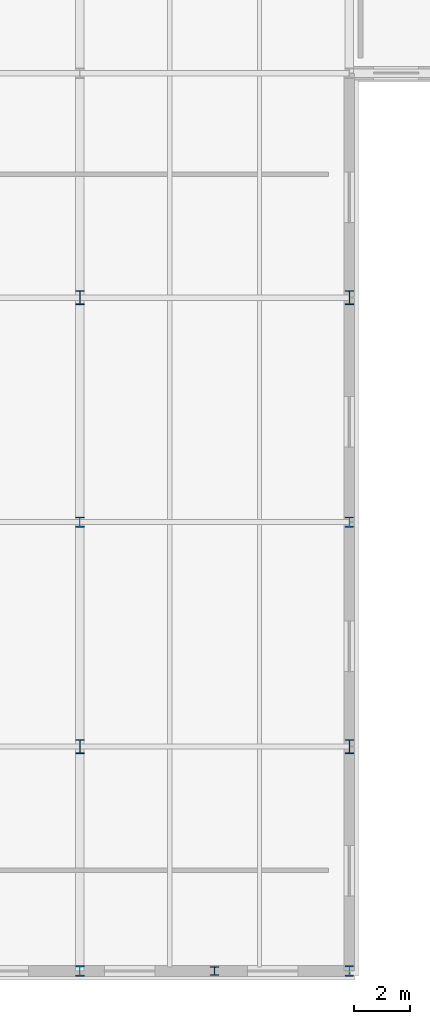
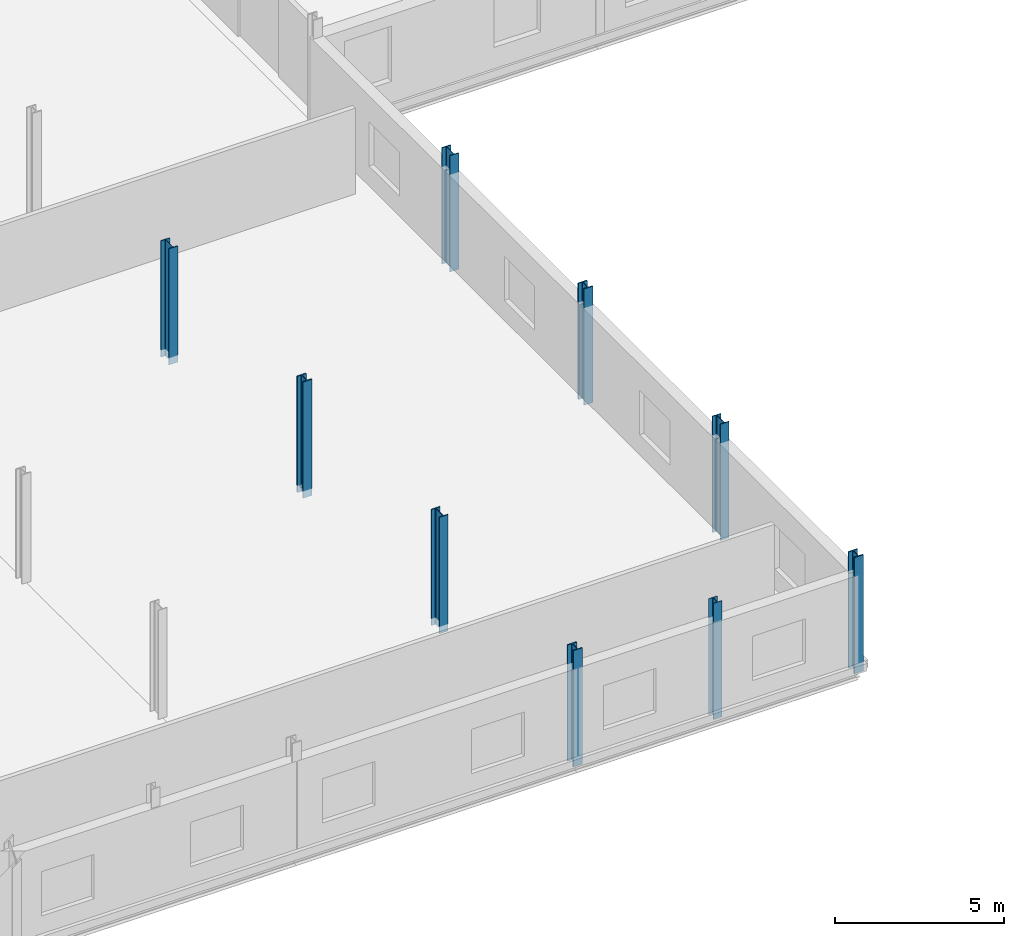
# One storey, part 6 of 78: 9 columns.
"""IFC4 building model written with IfcOpenShell, lengths in metres."""

from ifc_helpers import new_model, si_unit, direction, frame, origin, origin_2d, place, context, subcontext, project, spatial, i_section, extrude, material, material_profile, profile_set, type_object, element, save


model = new_model("IFC4")

# Units and contexts
model_context = context("Model", 3, precision=1e-05, world=origin(), true_north=direction((0.0, 1.0)))
body_context = subcontext(model_context, "Body", "Model", "MODEL_VIEW")
ifc_project = project(units=[si_unit("LENGTHUNIT", "METRE"), si_unit("AREAUNIT", "SQUARE_METRE"), si_unit("VOLUMEUNIT", "CUBIC_METRE"), si_unit("PLANEANGLEUNIT", "RADIAN"), si_unit("MASSUNIT", "GRAM", prefix="KILO")], contexts=[model_context])

# Site, building, storey
site_placement = place(None, origin())
site = spatial("IfcSite", under=ifc_project, at=site_placement, CompositionType="ELEMENT")
building_placement = place(site_placement, origin())
building = spatial("IfcBuilding", under=site, at=building_placement, Name="Alderhovde Museum", CompositionType="ELEMENT")
storey_placement = place(building_placement, frame((0.0, 0.0, 4.5)))
storey = spatial("IfcBuildingStorey", under=building, at=storey_placement, Name="L01", CompositionType="ELEMENT", Elevation=4.5)

# Columns
ifc_material_1 = material(Name="Steel S355J2", Category="steel")
ifc_material_profile_1 = material_profile(ifc_material_1, i_section(OverallWidth=0.300048828125, OverallDepth=0.5, WebThickness=0.014404296875, FlangeThickness=0.028076171875, FilletRadius=0.027099609375, at=origin_2d()), Name="HEB 500")
ifc_profile_set_1 = profile_set([ifc_material_profile_1], Name="Steel S355J2")
column_type_1 = type_object("IfcColumnType", Name="COL-HEB500", PredefinedType="COLUMN", material=ifc_profile_set_1)
for number, where, z_axis, x_axis, name in (
    (1, (105.60009765625, 8.0, -0.260009765625), (0.0, 0.0, 1.0), (1.0, 0.0, 0.0), "L01 Column (105.6, 8.0)"),
    (2, (105.60009765625, 24.0, -0.260009765625), (0.0, 0.0, 1.0), (1.0, 0.0, 0.0), "L01 Column (105.6, 24.0)"),
    (3, (115.199951171875, 8.0, -0.260009765625), (0.0, 0.0, 1.0), (1.0, 0.0, 0.0), "L01 Column (115.2, 8.0)"),
    (4, (115.199951171875, 24.0, -0.260009765625), (0.0, 0.0, 1.0), (1.0, 0.0, 0.0), "L01 Column (115.2, 24.0)"),
):
    element("IfcColumn", number, at=place(storey_placement, frame(where, z_axis=z_axis, x_axis=x_axis)), inside=storey, type_object=column_type_1, Name=name, PredefinedType="COLUMN", context=body_context, shape_type="SweptSolid", body=[
        extrude(i_section(OverallWidth=0.300048828125, OverallDepth=0.5, WebThickness=0.014404296875, FlangeThickness=0.028076171875, FilletRadius=0.027099609375, at=origin_2d()), origin(), (0.0, 0.0, 1.0), 4.199951171875),
    ])
ifc_material_2 = material(Name="Steel S355J2", Category="steel")
ifc_material_profile_2 = material_profile(ifc_material_2, i_section(OverallWidth=0.30908203125, OverallDepth=0.376953125, WebThickness=0.02099609375, FlangeThickness=0.0400390625, FilletRadius=0.027099609375, at=origin_2d()), Name="HEM 340")
ifc_profile_set_2 = profile_set([ifc_material_profile_2], Name="Steel S355J2")
column_type_2 = type_object("IfcColumnType", Name="COL-HEM340", PredefinedType="COLUMN", material=ifc_profile_set_2)
for number, where, z_axis, x_axis, name in (
    (5, (105.60009765625, 0.0, -0.260009765625), (0.0, 0.0, 1.0), (1.0, 0.0, 0.0), "L01 Column (105.6, 0.0)"),
    (6, (105.60009765625, 16.0, -0.260009765625), (0.0, 0.0, 1.0), (1.0, 0.0, 0.0), "L01 Column (105.6, 16.0)"),
    (7, (115.199951171875, 0.0, -0.260009765625), (0.0, 0.0, 1.0), (1.0, 0.0, 0.0), "L01 Column (115.2, 0.0)"),
    (8, (115.199951171875, 16.0, -0.260009765625), (0.0, 0.0, 1.0), (1.0, 0.0, 0.0), "L01 Column (115.2, 16.0)"),
):
    element("IfcColumn", number, at=place(storey_placement, frame(where, z_axis=z_axis, x_axis=x_axis)), inside=storey, type_object=column_type_2, Name=name, PredefinedType="COLUMN", context=body_context, shape_type="SweptSolid", body=[
        extrude(i_section(OverallWidth=0.30908203125, OverallDepth=0.376953125, WebThickness=0.02099609375, FlangeThickness=0.0400390625, FilletRadius=0.027099609375, at=origin_2d()), origin(), (0.0, 0.0, 1.0), 4.199951171875),
    ])
ifc_material_3 = material(Name="Steel S355J2", Category="steel")
ifc_material_profile_3 = material_profile(ifc_material_3, i_section(OverallWidth=0.300048828125, OverallDepth=0.2900390625, WebThickness=0.008544921875, FlangeThickness=0.013916015625, FilletRadius=0.027099609375, at=origin_2d()), Name="HEA 300")
ifc_profile_set_3 = profile_set([ifc_material_profile_3], Name="Steel S355J2")
column_type_3 = type_object("IfcColumnType", Name="PIL-HEA300", PredefinedType="PILASTER", material=ifc_profile_set_3)
column_placement = place(storey_placement, frame((110.39990234375, 0.0, -0.260009765625), z_axis=(0.0, 0.0, 1.0), x_axis=(1.0, 0.0, 0.0)))
element("IfcColumn", 9, at=column_placement, inside=storey, type_object=column_type_3, Name="L01 Structural Pilaster (110.4, 0.0)", PredefinedType="PILASTER", context=body_context, shape_type="SweptSolid", body=[
    extrude(i_section(OverallWidth=0.300048828125, OverallDepth=0.2900390625, WebThickness=0.008544921875, FlangeThickness=0.013916015625, FilletRadius=0.027099609375, at=origin_2d()), origin(), (0.0, 0.0, 1.0), 4.199951171875),
])

save(model, "model.ifc")
